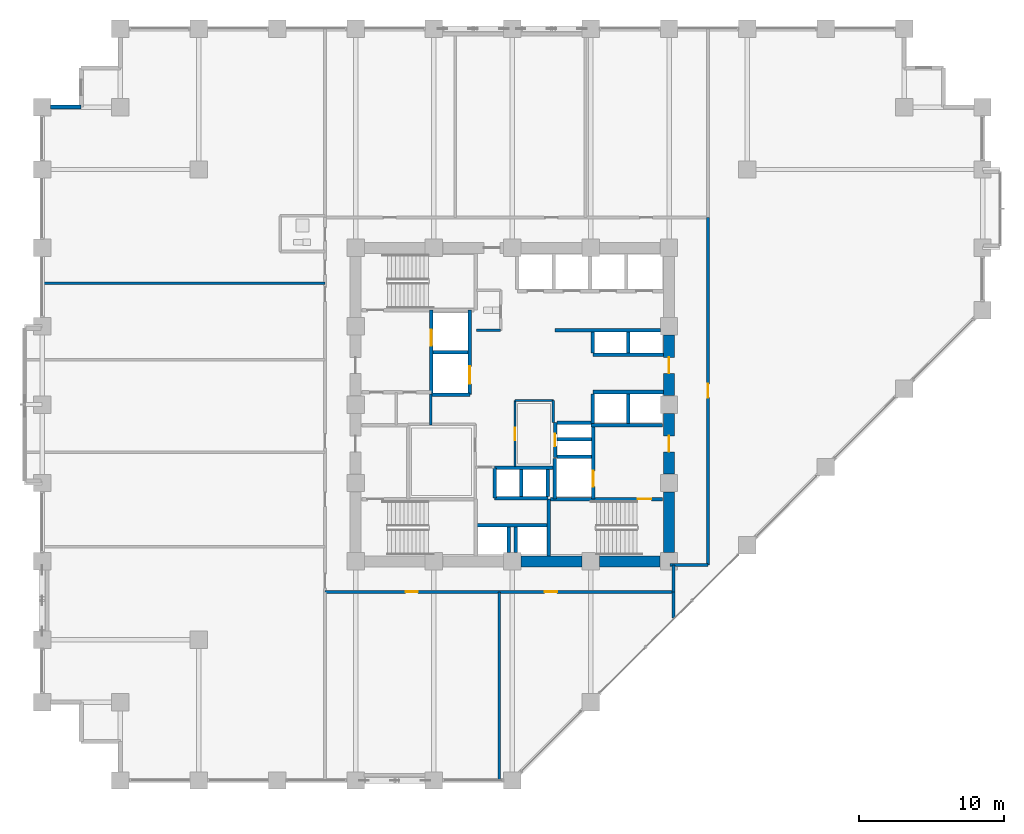
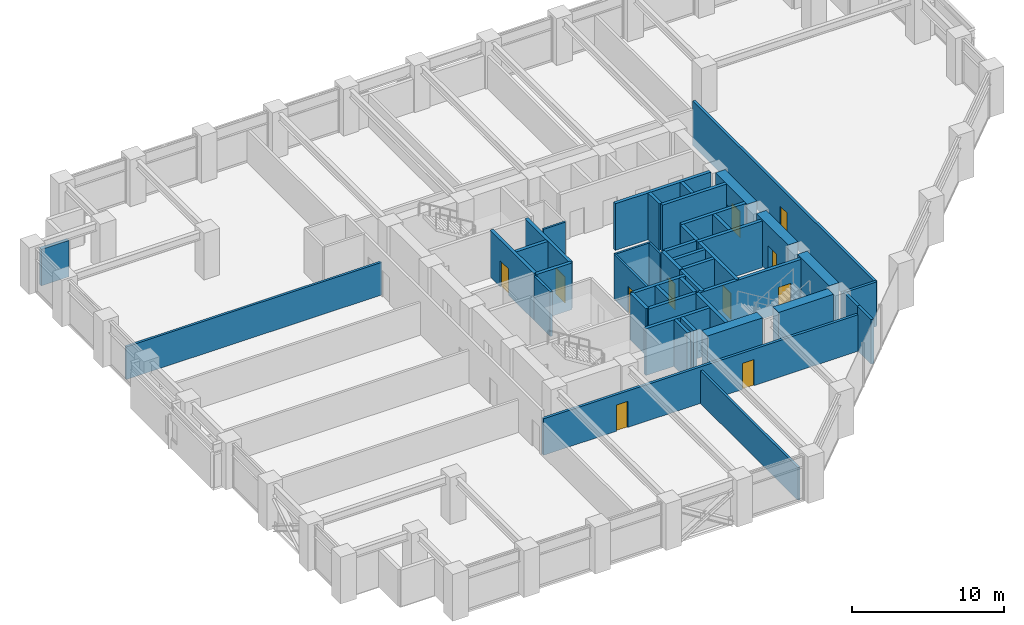
# One storey, part 21 of 27: 46 walls, 11 doors, 11 openings.
"""IFC4 building model written with IfcOpenShell, lengths in metres."""

from ifc_helpers import new_model, si_unit, direction, frame, frame_2d, origin, place, context, subcontext, project, spatial, rectangle, extrude, material, layer, layer_set, type_object, element, fill, save


model = new_model("IFC4")

# Units and contexts
model_context = context("Model", 3, precision=1e-05, world=origin(), true_north=direction((0.0, 1.0)))
body_context = subcontext(model_context, "Body", "Model", "MODEL_VIEW")
ifc_project = project(units=[si_unit("LENGTHUNIT", "METRE"), si_unit("AREAUNIT", "SQUARE_METRE"), si_unit("VOLUMEUNIT", "CUBIC_METRE"), si_unit("PLANEANGLEUNIT", "RADIAN"), si_unit("MASSUNIT", "GRAM", prefix="KILO")], contexts=[model_context])

# Site, building, storey
site_placement = place(None, origin())
site = spatial("IfcSite", under=ifc_project, at=site_placement, CompositionType="ELEMENT")
building_placement = place(site_placement, origin())
building = spatial("IfcBuilding", under=site, at=building_placement, Name="Surkhivell Harbour Commons", CompositionType="ELEMENT")
storey_placement = place(building_placement, frame((0.0, 0.0, 56.25)))
storey = spatial("IfcBuildingStorey", under=building, at=storey_placement, Name="L14", CompositionType="ELEMENT", Elevation=56.25)

# Wall
ifc_material_1 = material(Name="Concrete C60/75", Category="concrete")
ifc_layer_1 = layer(ifc_material_1, 0.75)
ifc_layer_set_1 = layer_set([ifc_layer_1], Name="Concrete C60/75")
wall_type_1 = type_object("IfcWallType", Name="WAL-CORE-750", PredefinedType="SHEAR", material=ifc_layer_set_1)
wall_1_placement = place(storey_placement, frame((10.800048828125, -10.18994140625, 0.0), z_axis=(0.0, 0.0, 1.0), x_axis=(0.0, 1.0, 0.0)))
element("IfcWall", 1, at=wall_1_placement, inside=storey, type_object=wall_type_1, Name="L14 Core Shear Wall East 1", PredefinedType="SHEAR", context=body_context, shape_type="SweptSolid", body=[
    extrude(rectangle(XDim=4.179931640625, YDim=0.75, at=frame_2d((2.08984375, 0.0))), origin(), (0.0, 0.0, 1.0), 3.75),
])

# Wall, opening, door
wall_2_placement = place(storey_placement, frame((10.800048828125, -4.7900390625, 0.0), z_axis=(0.0, 0.0, 1.0), x_axis=(0.0, 1.0, 0.0)))
wall_2 = element("IfcWall", 2, at=wall_2_placement, inside=storey, type_object=wall_type_1, Name="L14 Core Shear Wall East 2", PredefinedType="SHEAR", context=body_context, shape_type="SweptSolid", body=[
    extrude(rectangle(XDim=4.179931640625, YDim=0.75, at=frame_2d((2.08984375, 0.0))), origin(), (0.0, 0.0, 1.0), 3.75),
])
opening_1_placement = place(wall_2_placement, frame((1.5400390625, 0.0, 0.0)))
opening_1 = element("IfcOpeningElement", 3, at=opening_1_placement, cuts=wall_2, Name="Opening ID-1", PredefinedType="OPENING", context=body_context, shape_type="SweptSolid", body=[
    extrude(rectangle(XDim=1.10009765625, YDim=2.10009765625, at=frame_2d((0.550048828125, 1.050048828125))), frame((0.0, 0.385009765625, 0.0), z_axis=(0.0, -1.0, 0.0), x_axis=(1.0, 0.0, 0.0)), (0.0, 0.0, 1.0), 0.77001953125),
])
ifc_material_2 = material(Name="Hardwood-veneered fire-rated door leaf", Category="wood")
door_type_1 = type_object("IfcDoorType", Name="DOR-FD120-1100", OperationType="NOTDEFINED", PredefinedType="DOOR", material=ifc_material_2)
door_1_placement = place(opening_1_placement, origin())
door_1 = element("IfcDoor", 4, at=door_1_placement, inside=storey, type_object=door_type_1, Name="L14 Firefighting Lobby 2 Corridor Door", OperationType="SINGLE_SWING_RIGHT", OverallHeight=2.10009765625, OverallWidth=1.10009765625, PredefinedType="DOOR", context=body_context, shape_type="SweptSolid", body=[
    extrude(rectangle(XDim=1.10009765625, YDim=2.10009765625, at=frame_2d((0.550048828125, 1.050048828125))), frame((0.0, 0.02490234375, 0.0), z_axis=(0.0, -1.0, 0.0), x_axis=(1.0, 0.0, 0.0)), (0.0, 0.0, 1.0), 0.050048828125),
])
fill(opening_1, door_1)

# Wall
wall_3_placement = place(storey_placement, frame((0.610107421875, -10.800048828125, 0.0), z_axis=(0.0, 0.0, 1.0), x_axis=(1.0, 0.0, 0.0)))
element("IfcWall", 5, at=wall_3_placement, inside=storey, type_object=wall_type_1, Name="L14 Core Shear Wall South 3", PredefinedType="SHEAR", context=body_context, shape_type="SweptSolid", body=[
    extrude(rectangle(XDim=4.179931640625, YDim=0.75, at=frame_2d((2.08984375, 0.0))), origin(), (0.0, 0.0, 1.0), 3.75),
])

# Wall, opening, door
wall_4_placement = place(storey_placement, frame((10.800048828125, 0.610107421875, 0.0), z_axis=(0.0, 0.0, 1.0), x_axis=(0.0, 1.0, 0.0)))
wall_4 = element("IfcWall", 6, at=wall_4_placement, inside=storey, type_object=wall_type_1, Name="L14 Core Shear Wall East 3", PredefinedType="SHEAR", context=body_context, shape_type="SweptSolid", body=[
    extrude(rectangle(XDim=4.179931640625, YDim=0.75, at=frame_2d((2.08984375, 0.0))), origin(), (0.0, 0.0, 1.0), 3.75),
])
opening_2_placement = place(wall_4_placement, frame((1.5400390625, 0.0, 0.0)))
opening_2 = element("IfcOpeningElement", 7, at=opening_2_placement, cuts=wall_4, Name="Opening ID-2", PredefinedType="OPENING", context=body_context, shape_type="SweptSolid", body=[
    extrude(rectangle(XDim=1.10009765625, YDim=2.10009765625, at=frame_2d((0.550048828125, 1.050048828125))), frame((0.0, 0.385009765625, 0.0), z_axis=(0.0, -1.0, 0.0), x_axis=(1.0, 0.0, 0.0)), (0.0, 0.0, 1.0), 0.77001953125),
])
door_type_2 = type_object("IfcDoorType", Name="DOR-FD60-1100", OperationType="NOTDEFINED", PredefinedType="DOOR", material=ifc_material_2)
door_2_placement = place(opening_2_placement, origin())
door_2 = element("IfcDoor", 8, at=door_2_placement, inside=storey, type_object=door_type_2, Name="L14 Mid-Rise Lobby East Door", OperationType="SINGLE_SWING_LEFT", OverallHeight=2.10009765625, OverallWidth=1.10009765625, PredefinedType="DOOR", context=body_context, shape_type="SweptSolid", body=[
    extrude(rectangle(XDim=1.10009765625, YDim=2.10009765625, at=frame_2d((0.550048828125, 1.050048828125))), frame((0.0, 0.02490234375, 0.0), z_axis=(0.0, -1.0, 0.0), x_axis=(1.0, 0.0, 0.0)), (0.0, 0.0, 1.0), 0.050048828125),
])
fill(opening_2, door_2)

# Walls
wall_5_placement = place(storey_placement, frame((6.010009765625, -10.800048828125, 0.0), z_axis=(0.0, 0.0, 1.0), x_axis=(1.0, 0.0, 0.0)))
element("IfcWall", 9, at=wall_5_placement, inside=storey, type_object=wall_type_1, Name="L14 Core Shear Wall South 4", PredefinedType="SHEAR", context=body_context, shape_type="SweptSolid", body=[
    extrude(rectangle(XDim=4.179931640625, YDim=0.75, at=frame_2d((2.08984375, 0.0))), origin(), (0.0, 0.0, 1.0), 3.75),
])
ifc_material_3 = material(Name="Terracotta-clad reinforced concrete C45/55", Category="masonry")
ifc_layer_2 = layer(ifc_material_3, 0.280029296875)
ifc_layer_set_2 = layer_set([ifc_layer_2], Name="Terracotta-clad reinforced concrete C45/55")
wall_type_2 = type_object("IfcWallType", Name="WAL-EXT-TER280", PredefinedType="STANDARD", material=ifc_layer_set_2)
wall_6_placement = place(storey_placement, frame((-29.699951171875, 20.5, 0.0), z_axis=(0.0, 0.0, 1.0), x_axis=(-1.0, 0.0, 0.0)))
element("IfcWall", 10, at=wall_6_placement, inside=storey, type_object=wall_type_2, Name="L14 Serrated Corner Facade Wall 11", PredefinedType="STANDARD", context=body_context, shape_type="SweptSolid", body=[
    extrude(rectangle(XDim=2.10205078125, YDim=0.280029296875, at=frame_2d((1.051025390625, 0.0))), origin(), (0.0, 0.0, 1.0), 2.929931640625),
])
ifc_material_4 = material(Name="Twin-stud acoustic fireboard partition", Category="other")
ifc_layer_3 = layer(ifc_material_4, 0.14990234375)
ifc_layer_set_3 = layer_set([ifc_layer_3], Name="Twin-stud acoustic fireboard partition")
wall_type_3 = type_object("IfcWallType", Name="WAL-INT-150", PredefinedType="PARTITIONING", material=ifc_layer_set_3)
wall_7_placement = place(storey_placement, frame((-2.47998046875, 5.1201171875, 0.0), z_axis=(0.0, 0.0, 1.0), x_axis=(1.0, 0.0, 0.0)))
element("IfcWall", 11, at=wall_7_placement, inside=storey, type_object=wall_type_3, Name="L14 Core Accessible WC South Wall", PredefinedType="PARTITIONING", context=body_context, shape_type="SweptSolid", body=[
    extrude(rectangle(XDim=1.679931640625, YDim=0.14990234375, at=frame_2d((0.83984375, 0.0))), origin(), (0.0, 0.0, 1.0), 3.570068359375),
])
wall_8_placement = place(storey_placement, frame((2.820068359375, -1.25, 0.0), z_axis=(0.0, 0.0, 1.0), x_axis=(0.0, 1.0, 0.0)))
element("IfcWall", 12, at=wall_8_placement, inside=storey, type_object=wall_type_3, Name="L14 Central Music East Wall", PredefinedType="PARTITIONING", context=body_context, shape_type="SweptSolid", body=[
    extrude(rectangle(XDim=1.530029296875, YDim=0.14990234375, at=frame_2d((0.76513671875, 0.0))), origin(), (0.0, 0.0, 1.0), 3.570068359375),
])
wall_9_placement = place(storey_placement, frame((0.179931640625, 0.280029296875, 0.0), z_axis=(0.0, 0.0, 1.0), x_axis=(1.0, 0.0, 0.0)))
element("IfcWall", 13, at=wall_9_placement, inside=storey, type_object=wall_type_3, Name="L14 Central Music North Wall", PredefinedType="PARTITIONING", context=body_context, shape_type="SweptSolid", body=[
    extrude(rectangle(XDim=2.670166015625, YDim=0.14990234375, at=frame_2d((1.3349609375, 0.0))), origin(), (0.0, 0.0, 1.0), 3.570068359375),
])

# Wall, opening, door
wall_10_placement = place(storey_placement, frame((0.179931640625, -4.25, 0.0), z_axis=(0.0, 0.0, 1.0), x_axis=(0.0, 1.0, 0.0)))
wall_10 = element("IfcWall", 14, at=wall_10_placement, inside=storey, type_object=wall_type_3, Name="L14 Central Music West Wall", PredefinedType="PARTITIONING", context=body_context, shape_type="SweptSolid", body=[
    extrude(rectangle(XDim=4.530029296875, YDim=0.14990234375, at=frame_2d((2.26513671875, 0.0))), origin(), (0.0, 0.0, 1.0), 3.570068359375),
])
opening_3_placement = place(wall_10_placement, frame((1.800048828125, 0.0, 0.0)))
opening_3 = element("IfcOpeningElement", 15, at=opening_3_placement, cuts=wall_10, Name="Opening ID-6", PredefinedType="OPENING", context=body_context, shape_type="SweptSolid", body=[
    extrude(rectangle(XDim=0.85009765625, YDim=2.10009765625, at=frame_2d((0.425048828125, 1.050048828125))), frame((0.0, 0.0849609375, 0.0), z_axis=(0.0, -1.0, 0.0), x_axis=(1.0, 0.0, 0.0)), (0.0, 0.0, 1.0), 0.169921875),
])
door_type_3 = type_object("IfcDoorType", Name="DOR-FD30-850", OperationType="NOTDEFINED", PredefinedType="DOOR", material=ifc_material_2)
door_3_placement = place(opening_3_placement, origin())
door_3 = element("IfcDoor", 16, at=door_3_placement, inside=storey, type_object=door_type_3, Name="L14 Central Music Door", OperationType="SINGLE_SWING_RIGHT", OverallHeight=2.10009765625, OverallWidth=0.85009765625, PredefinedType="DOOR", context=body_context, shape_type="SweptSolid", body=[
    extrude(rectangle(XDim=0.85009765625, YDim=2.10009765625, at=frame_2d((0.425048828125, 1.050048828125))), frame((0.0, 0.02490234375, 0.0), z_axis=(0.0, -1.0, 0.0), x_axis=(1.0, 0.0, 0.0)), (0.0, 0.0, 1.0), 0.050048828125),
])
fill(opening_3, door_3)

# Walls
ifc_material_5 = material(Name="High-density acoustic blockwork fire partition", Category="masonry")
ifc_layer_4 = layer(ifc_material_5, 0.175048828125)
ifc_layer_set_4 = layer_set([ifc_layer_4], Name="High-density acoustic blockwork fire partition")
wall_type_4 = type_object("IfcWallType", Name="WAL-INT-175", PredefinedType="PARTITIONING", material=ifc_layer_set_4)
wall_11_placement = place(storey_placement, frame((-5.6201171875, -1.419921875, 0.0), z_axis=(0.0, 0.0, 1.0), x_axis=(0.0, 1.0, 0.0)))
element("IfcWall", 17, at=wall_11_placement, inside=storey, type_object=wall_type_4, Name="L14 West Core Bay East Wall", PredefinedType="PARTITIONING", context=body_context, shape_type="SweptSolid", body=[
    extrude(rectangle(XDim=2.139892578125, YDim=0.175048828125, at=frame_2d((1.06982421875, 0.0))), origin(), (0.0, 0.0, 1.0), 3.570068359375),
])
wall_12_placement = place(storey_placement, frame((-0.89990234375, -25.840087890625, 0.0), z_axis=(0.0, 0.0, 1.0), x_axis=(0.0, 1.0, 0.0)))
element("IfcWall", 18, at=wall_12_placement, inside=storey, type_object=wall_type_4, Name="L14 South Partition P1", PredefinedType="PARTITIONING", context=body_context, shape_type="SweptSolid", body=[
    extrude(rectangle(XDim=12.940185546875, YDim=0.175048828125, at=frame_2d((6.47021484375, 0.0))), origin(), (0.0, 0.0, 1.0), 2.623046875),
])
wall_13_placement = place(storey_placement, frame((-32.340087890625, 8.35009765625, 0.0), z_axis=(0.0, 0.0, 1.0), x_axis=(1.0, 0.0, 0.0)))
element("IfcWall", 19, at=wall_13_placement, inside=storey, type_object=wall_type_4, Name="L14 West Partition PTOP", PredefinedType="PARTITIONING", context=body_context, shape_type="SweptSolid", body=[
    extrude(rectangle(XDim=19.440185546875, YDim=0.175048828125, at=frame_2d((9.72021484375, 0.0))), origin(), (0.0, 0.0, 1.0), 2.623046875),
])
ifc_material_6 = material(Name="Autoclaved aerated concrete blockwork and fire plaster", Category="masonry")
ifc_layer_5 = layer(ifc_material_6, 0.199951171875)
ifc_layer_set_5 = layer_set([ifc_layer_5], Name="Autoclaved aerated concrete blockwork and fire plaster")
wall_type_5 = type_object("IfcWallType", Name="WAL-INT-200", PredefinedType="PARTITIONING", material=ifc_layer_set_5)
wall_14_placement = place(storey_placement, frame((11.10009765625, -14.715087890625, 0.0), z_axis=(0.0, 0.0, 1.0), x_axis=(0.0, 1.0, 0.0)))
element("IfcWall", 20, at=wall_14_placement, inside=storey, type_object=wall_type_5, Name="L14 South-East Wing Corner Divider", PredefinedType="PARTITIONING", context=body_context, shape_type="SweptSolid", body=[
    extrude(rectangle(XDim=1.815185546875, YDim=0.199951171875, at=frame_2d((0.90771484375, 0.0))), origin(), (0.0, 0.0, 1.0), 3.570068359375),
])

# Wall, opening, door
wall_15_placement = place(storey_placement, frame((13.47998046875, -11.0400390625, 0.0), z_axis=(0.0, 0.0, 1.0), x_axis=(0.0, 1.0, 0.0)))
wall_15 = element("IfcWall", 21, at=wall_15_placement, inside=storey, type_object=wall_type_5, Name="L14 Corridor East Wall", PredefinedType="PARTITIONING", context=body_context, shape_type="SweptSolid", body=[
    extrude(rectangle(XDim=23.93994140625, YDim=0.199951171875, at=frame_2d((11.969970703125, 0.0))), origin(), (0.0, 0.0, 1.0), 3.570068359375),
])
opening_4_placement = place(wall_15_placement, frame((11.52001953125, 0.0, 0.0)))
opening_4 = element("IfcOpeningElement", 22, at=opening_4_placement, cuts=wall_15, Name="Opening ID-4", PredefinedType="OPENING", context=body_context, shape_type="SweptSolid", body=[
    extrude(rectangle(XDim=0.949951171875, YDim=2.10009765625, at=frame_2d((0.47509765625, 1.050048828125))), frame((0.0, 0.10986328125, 0.0), z_axis=(0.0, -1.0, 0.0), x_axis=(1.0, 0.0, 0.0)), (0.0, 0.0, 1.0), 0.219970703125),
])
door_type_4 = type_object("IfcDoorType", Name="DOR-FD60-950", OperationType="NOTDEFINED", PredefinedType="DOOR", material=ifc_material_2)
door_4_placement = place(opening_4_placement, origin())
door_4 = element("IfcDoor", 23, at=door_4_placement, inside=storey, type_object=door_type_4, Name="L14 Harbour Social Lounge East Door", OperationType="SINGLE_SWING_RIGHT", OverallHeight=2.10009765625, OverallWidth=0.949951171875, PredefinedType="DOOR", context=body_context, shape_type="SweptSolid", body=[
    extrude(rectangle(XDim=0.949951171875, YDim=2.10009765625, at=frame_2d((0.47509765625, 1.050048828125))), frame((0.0, 0.02490234375, 0.0), z_axis=(0.0, -1.0, 0.0), x_axis=(1.0, 0.0, 0.0)), (0.0, 0.0, 1.0), 0.050048828125),
])
fill(opening_4, door_4)

# Wall
wall_16_placement = place(storey_placement, frame((10.85009765625, -11.0400390625, 0.0), z_axis=(0.0, 0.0, 1.0), x_axis=(1.0, 0.0, 0.0)))
element("IfcWall", 24, at=wall_16_placement, inside=storey, type_object=wall_type_5, Name="L14 Corridor East South Closure Wall", PredefinedType="PARTITIONING", context=body_context, shape_type="SweptSolid", body=[
    extrude(rectangle(XDim=2.6298828125, YDim=0.199951171875, at=frame_2d((1.31494140625, 0.0))), origin(), (0.0, 0.0, 1.0), 3.570068359375),
])

# Wall, openings, doors
wall_17_placement = place(storey_placement, frame((-12.89990234375, -12.89990234375, 0.0), z_axis=(0.0, 0.0, 1.0), x_axis=(1.0, 0.0, 0.0)))
wall_17 = element("IfcWall", 25, at=wall_17_placement, inside=storey, type_object=wall_type_5, Name="L14 Corridor South Wall", PredefinedType="PARTITIONING", context=body_context, shape_type="SweptSolid", body=[
    extrude(rectangle(XDim=24.0, YDim=0.199951171875, at=frame_2d((12.0, 0.0))), origin(), (0.0, 0.0, 1.0), 2.929931640625),
])
opening_5_placement = place(wall_17_placement, frame((5.550048828125, 0.0, 0.0)))
opening_5 = element("IfcOpeningElement", 26, at=opening_5_placement, cuts=wall_17, Name="Opening ID-6", PredefinedType="OPENING", context=body_context, shape_type="SweptSolid", body=[
    extrude(rectangle(XDim=0.85009765625, YDim=2.10009765625, at=frame_2d((0.425048828125, 1.050048828125))), frame((0.0, 0.10986328125, 0.0), z_axis=(0.0, -1.0, 0.0), x_axis=(1.0, 0.0, 0.0)), (0.0, 0.0, 1.0), 0.219970703125),
])
opening_6_placement = place(wall_17_placement, frame((15.131103515625, 0.0, 0.0)))
opening_6 = element("IfcOpeningElement", 27, at=opening_6_placement, cuts=wall_17, Name="Opening ID-6", PredefinedType="OPENING", context=body_context, shape_type="SweptSolid", body=[
    extrude(rectangle(XDim=0.85009765625, YDim=2.10009765625, at=frame_2d((0.425048828125, 1.050048828125))), frame((0.0, 0.10986328125, 0.0), z_axis=(0.0, -1.0, 0.0), x_axis=(1.0, 0.0, 0.0)), (0.0, 0.0, 1.0), 0.219970703125),
])
door_5_placement = place(opening_5_placement, origin())
door_5 = element("IfcDoor", 28, at=door_5_placement, inside=storey, type_object=door_type_3, Name="L14 Campus Co-Op Bookshop South Door", OperationType="SINGLE_SWING_LEFT", OverallHeight=2.10009765625, OverallWidth=0.85009765625, PredefinedType="DOOR", context=body_context, shape_type="SweptSolid", body=[
    extrude(rectangle(XDim=0.85009765625, YDim=2.10009765625, at=frame_2d((0.425048828125, 1.050048828125))), frame((0.0, 0.02490234375, 0.0), z_axis=(0.0, -1.0, 0.0), x_axis=(1.0, 0.0, 0.0)), (0.0, 0.0, 1.0), 0.050048828125),
])
fill(opening_5, door_5)
door_6_placement = place(opening_6_placement, origin())
door_6 = element("IfcDoor", 29, at=door_6_placement, inside=storey, type_object=door_type_3, Name="L14 Harbour Espresso Cafe Shop South Door", OperationType="SINGLE_SWING_RIGHT", OverallHeight=2.10009765625, OverallWidth=0.85009765625, PredefinedType="DOOR", context=body_context, shape_type="SweptSolid", body=[
    extrude(rectangle(XDim=0.85009765625, YDim=2.10009765625, at=frame_2d((0.425048828125, 1.050048828125))), frame((0.0, 0.02490234375, 0.0), z_axis=(0.0, -1.0, 0.0), x_axis=(1.0, 0.0, 0.0)), (0.0, 0.0, 1.0), 0.050048828125),
])
fill(opening_6, door_6)

# Wall
wall_18_placement = place(storey_placement, frame((11.10009765625, -12.89990234375, 0.0), z_axis=(0.0, 0.0, 1.0), x_axis=(0.0, 1.0, 0.0)))
element("IfcWall", 30, at=wall_18_placement, inside=storey, type_object=wall_type_5, Name="L14 Corridor SE Closure Wall", PredefinedType="PARTITIONING", context=body_context, shape_type="SweptSolid", body=[
    extrude(rectangle(XDim=1.85986328125, YDim=0.199951171875, at=frame_2d((0.929931640625, 0.0))), origin(), (0.0, 0.0, 1.0), 3.570068359375),
])

# Wall, opening, door
ifc_material_7 = material(Name="Concrete C50/60", Category="concrete")
ifc_layer_6 = layer(ifc_material_7, 0.25)
ifc_layer_set_6 = layer_set([ifc_layer_6], Name="Concrete C50/60")
wall_type_6 = type_object("IfcWallType", Name="WAL-SHAFT-250", PredefinedType="SHEAR", material=ifc_layer_set_6)
wall_19_placement = place(storey_placement, frame((-5.580078125, 0.719970703125, 0.0), z_axis=(0.0, 0.0, 1.0), x_axis=(0.0, 1.0, 0.0)))
wall_19 = element("IfcWall", 31, at=wall_19_placement, inside=storey, type_object=wall_type_6, Name="L14 Firefighting Lobby 1 East Shaft Wall", PredefinedType="SHEAR", context=body_context, shape_type="SweptSolid", body=[
    extrude(rectangle(XDim=5.7900390625, YDim=0.25, at=frame_2d((2.89501953125, 0.0))), origin(), (0.0, 0.0, 1.0), 3.75),
])
opening_7_placement = place(wall_19_placement, frame((3.35009765625, 0.0, 0.0)))
opening_7 = element("IfcOpeningElement", 32, at=opening_7_placement, cuts=wall_19, Name="Opening LD-1", PredefinedType="OPENING", context=body_context, shape_type="SweptSolid", body=[
    extrude(rectangle(XDim=1.10009765625, YDim=2.10009765625, at=frame_2d((0.550048828125, 1.050048828125))), frame((0.0, 0.135009765625, 0.0), z_axis=(0.0, -1.0, 0.0), x_axis=(1.0, 0.0, 0.0)), (0.0, 0.0, 1.0), 0.27001953125),
])
ifc_material_8 = material(Name="Brushed stainless steel S355", Category="steel")
door_type_5 = type_object("IfcDoorType", Name="DOR-LD-1100", OperationType="SLIDING_TO_LEFT", PredefinedType="DOOR", material=ifc_material_8)
door_7_placement = place(opening_7_placement, origin())
door_7 = element("IfcDoor", 33, at=door_7_placement, inside=storey, type_object=door_type_5, Name="L14 Lift Landing Door LD-FFL1", OperationType="SLIDING_TO_LEFT", OverallHeight=2.10009765625, OverallWidth=1.10009765625, PredefinedType="DOOR", context=body_context, shape_type="SweptSolid", body=[
    extrude(rectangle(XDim=1.10009765625, YDim=2.10009765625, at=frame_2d((0.550048828125, 1.050048828125))), frame((0.0, 0.02490234375, 0.0), z_axis=(0.0, -1.0, 0.0), x_axis=(1.0, 0.0, 0.0)), (0.0, 0.0, 1.0), 0.050048828125),
])
fill(opening_7, door_7)

# Walls
wall_20_placement = place(storey_placement, frame((2.929931640625, -6.510009765625, 0.0), z_axis=(0.0, 0.0, 1.0), x_axis=(0.0, 1.0, 0.0)))
element("IfcWall", 34, at=wall_20_placement, inside=storey, type_object=wall_type_6, Name="L14 FFL2 West Shaft Wall", PredefinedType="SHEAR", context=body_context, shape_type="SweptSolid", body=[
    extrude(rectangle(XDim=2.7900390625, YDim=0.25, at=frame_2d((1.39501953125, 0.0))), origin(), (0.0, 0.0, 1.0), 3.75),
])
wall_21_placement = place(storey_placement, frame((5.43994140625, -1.419921875, 0.0), z_axis=(0.0, 0.0, 1.0), x_axis=(1.0, 0.0, 0.0)))
element("IfcWall", 35, at=wall_21_placement, inside=storey, type_object=wall_type_6, Name="L14 Firefighting Lobby 2 North Wall", PredefinedType="SHEAR", context=body_context, shape_type="SweptSolid", body=[
    extrude(rectangle(XDim=4.900146484375, YDim=0.25, at=frame_2d((2.4501953125, 0.0))), origin(), (0.0, 0.0, 1.0), 3.75),
])
wall_22_placement = place(storey_placement, frame((3.080078125, -3.60009765625, 0.0), z_axis=(0.0, 0.0, 1.0), x_axis=(1.0, 0.0, 0.0)))
element("IfcWall", 36, at=wall_22_placement, inside=storey, type_object=wall_type_6, Name="L14 FFL2 North Shaft Wall", PredefinedType="SHEAR", context=body_context, shape_type="SweptSolid", body=[
    extrude(rectangle(XDim=2.369873046875, YDim=0.25, at=frame_2d((1.18505859375, 0.0))), origin(), (0.0, 0.0, 1.0), 3.75),
])

# Wall, opening, door
wall_23_placement = place(storey_placement, frame((5.580078125, -6.510009765625, 0.0), z_axis=(0.0, 0.0, 1.0), x_axis=(0.0, 1.0, 0.0)))
wall_23 = element("IfcWall", 37, at=wall_23_placement, inside=storey, type_object=wall_type_6, Name="L14 Firefighting Lobby 2 West Shaft Wall", PredefinedType="SHEAR", context=body_context, shape_type="SweptSolid", body=[
    extrude(rectangle(XDim=5.090087890625, YDim=0.25, at=frame_2d((2.544921875, 0.0))), origin(), (0.0, 0.0, 1.0), 3.75),
])
opening_8_placement = place(wall_23_placement, frame((0.85009765625, 0.0, 0.0)))
opening_8 = element("IfcOpeningElement", 38, at=opening_8_placement, cuts=wall_23, Name="Opening LD-1", PredefinedType="OPENING", context=body_context, shape_type="SweptSolid", body=[
    extrude(rectangle(XDim=1.10009765625, YDim=2.10009765625, at=frame_2d((0.550048828125, 1.050048828125))), frame((0.0, 0.135009765625, 0.0), z_axis=(0.0, -1.0, 0.0), x_axis=(1.0, 0.0, 0.0)), (0.0, 0.0, 1.0), 0.27001953125),
])
door_8_placement = place(opening_8_placement, origin())
door_8 = element("IfcDoor", 39, at=door_8_placement, inside=storey, type_object=door_type_5, Name="L14 Lift Landing Door LD-FFL2", OperationType="SLIDING_TO_RIGHT", OverallHeight=2.10009765625, OverallWidth=1.10009765625, PredefinedType="DOOR", context=body_context, shape_type="SweptSolid", body=[
    extrude(rectangle(XDim=1.10009765625, YDim=2.10009765625, at=frame_2d((0.550048828125, 1.050048828125))), frame((0.0, 0.02490234375, 0.0), z_axis=(0.0, -1.0, 0.0), x_axis=(1.0, 0.0, 0.0)), (0.0, 0.0, 1.0), 0.050048828125),
])
fill(opening_8, door_8)

# Walls
for number, where, z_axis, x_axis, name in (
    (40, (0.6201171875, -6.340087890625, 0.0), (0.0, 0.0, 1.0), (0.0, 1.0, 0.0), "L14 High-Rise Side Wall N"),
    (41, (2.449951171875, -6.340087890625, 0.0), (0.0, 0.0, 1.0), (0.0, 1.0, 0.0), "L14 High-Rise Side Wall N"),
):
    element("IfcWall", number, at=place(storey_placement, frame(where, z_axis=z_axis, x_axis=x_axis)), inside=storey, type_object=wall_type_6, Name=name, PredefinedType="SHEAR", context=body_context, shape_type="SweptSolid", body=[
        extrude(rectangle(XDim=1.880126953125, YDim=0.25, at=frame_2d((0.93994140625, 0.0))), origin(), (0.0, 0.0, 1.0), 3.75),
    ])
for number, where, z_axis, x_axis, name in (
    (42, (-0.25, -10.199951171875, 0.0), (0.0, 0.0, 1.0), (0.0, 1.0, 0.0), "L14 High-Rise Side Wall S"),
    (43, (0.25, -10.199951171875, 0.0), (0.0, 0.0, 1.0), (0.0, 1.0, 0.0), "L14 High-Rise Side Wall S"),
):
    element("IfcWall", number, at=place(storey_placement, frame(where, z_axis=z_axis, x_axis=x_axis)), inside=storey, type_object=wall_type_6, Name=name, PredefinedType="SHEAR", context=body_context, shape_type="SweptSolid", body=[
        extrude(rectangle(XDim=1.760009765625, YDim=0.25, at=frame_2d((0.8798828125, 0.0))), origin(), (0.0, 0.0, 1.0), 3.75),
    ])
wall_24_placement = place(storey_placement, frame((-1.219970703125, -6.43994140625, 0.0), z_axis=(0.0, 0.0, 1.0), x_axis=(0.0, 1.0, 0.0)))
element("IfcWall", 44, at=wall_24_placement, inside=storey, type_object=wall_type_6, Name="L14 High-Rise Passage East Shaft Wall", PredefinedType="SHEAR", context=body_context, shape_type="SweptSolid", body=[
    extrude(rectangle(XDim=2.079833984375, YDim=0.25, at=frame_2d((1.0400390625, 0.0))), origin(), (0.0, 0.0, 1.0), 3.75),
])
wall_25_placement = place(storey_placement, frame((-1.219970703125, -6.43994140625, 0.0), z_axis=(0.0, 0.0, 1.0), x_axis=(1.0, 0.0, 0.0)))
element("IfcWall", 45, at=wall_25_placement, inside=storey, type_object=wall_type_6, Name="L14 High-Rise North Front Shaft Wall", PredefinedType="SHEAR", context=body_context, shape_type="SweptSolid", body=[
    extrude(rectangle(XDim=3.669921875, YDim=0.25, at=frame_2d((1.8349609375, 0.0))), origin(), (0.0, 0.0, 1.0), 3.75),
])
wall_26_placement = place(storey_placement, frame((-2.47998046875, -8.320068359375, 0.0), z_axis=(0.0, 0.0, 1.0), x_axis=(1.0, 0.0, 0.0)))
element("IfcWall", 46, at=wall_26_placement, inside=storey, type_object=wall_type_6, Name="L14 High-Rise South Front Shaft Wall", PredefinedType="SHEAR", context=body_context, shape_type="SweptSolid", body=[
    extrude(rectangle(XDim=4.929931640625, YDim=0.25, at=frame_2d((2.46484375, 0.0))), origin(), (0.0, 0.0, 1.0), 3.75),
])
wall_27_placement = place(storey_placement, frame((-1.219970703125, -4.360107421875, 0.0), z_axis=(0.0, 0.0, 1.0), x_axis=(1.0, 0.0, 0.0)))
element("IfcWall", 47, at=wall_27_placement, inside=storey, type_object=wall_type_6, Name="L14 High-Rise North Back Shaft Wall", PredefinedType="SHEAR", context=body_context, shape_type="SweptSolid", body=[
    extrude(rectangle(XDim=4.030029296875, YDim=0.25, at=frame_2d((2.01513671875, 0.0))), origin(), (0.0, 0.0, 1.0), 3.75),
])
wall_28_placement = place(storey_placement, frame((2.949951171875, 5.1201171875, 0.0), z_axis=(0.0, 0.0, 1.0), x_axis=(1.0, 0.0, 0.0)))
element("IfcWall", 48, at=wall_28_placement, inside=storey, type_object=wall_type_6, Name="L14 Low-Rise Lobby South Wall", PredefinedType="SHEAR", context=body_context, shape_type="SweptSolid", body=[
    extrude(rectangle(XDim=7.25, YDim=0.25, at=frame_2d((3.625, 0.0))), origin(), (0.0, 0.0, 1.0), 3.75),
])
for number, where, z_axis, x_axis, name in (
    (49, (5.550048828125, 3.550048828125, 0.0), (0.0, 0.0, 1.0), (0.0, 1.0, 0.0), "L14 Mid-Rise Shaft Side Wall N"),
    (50, (8.0, 3.550048828125, 0.0), (0.0, 0.0, 1.0), (0.0, 1.0, 0.0), "L14 Mid-Rise Shaft Side Wall N"),
):
    element("IfcWall", number, at=place(storey_placement, frame(where, z_axis=z_axis, x_axis=x_axis)), inside=storey, type_object=wall_type_6, Name=name, PredefinedType="SHEAR", context=body_context, shape_type="SweptSolid", body=[
        extrude(rectangle(XDim=1.449951171875, YDim=0.25, at=frame_2d((0.72509765625, 0.0))), origin(), (0.0, 0.0, 1.0), 3.75),
    ])
for number, where, z_axis, x_axis, name in (
    (51, (5.550048828125, -1.300048828125, 0.0), (0.0, 0.0, 1.0), (0.0, 1.0, 0.0), "L14 Mid-Rise Shaft Side Wall S"),
    (52, (8.0, -1.300048828125, 0.0), (0.0, 0.0, 1.0), (0.0, 1.0, 0.0), "L14 Mid-Rise Shaft Side Wall S"),
):
    element("IfcWall", number, at=place(storey_placement, frame(where, z_axis=z_axis, x_axis=x_axis)), inside=storey, type_object=wall_type_6, Name=name, PredefinedType="SHEAR", context=body_context, shape_type="SweptSolid", body=[
        extrude(rectangle(XDim=2.0400390625, YDim=0.25, at=frame_2d((1.02001953125, 0.0))), origin(), (0.0, 0.0, 1.0), 3.75),
    ])
for number, where, z_axis, x_axis, name in (
    (53, (5.550048828125, 3.429931640625, 0.0), (0.0, 0.0, 1.0), (1.0, 0.0, 0.0), "L14 Mid-Rise North Front Shaft Wall"),
    (54, (5.550048828125, 0.8701171875, 0.0), (0.0, 0.0, 1.0), (1.0, 0.0, 0.0), "L14 Mid-Rise South Front Shaft Wall"),
):
    element("IfcWall", number, at=place(storey_placement, frame(where, z_axis=z_axis, x_axis=x_axis)), inside=storey, type_object=wall_type_6, Name=name, PredefinedType="SHEAR", context=body_context, shape_type="SweptSolid", body=[
        extrude(rectangle(XDim=4.875, YDim=0.25, at=frame_2d((2.4375, 0.0))), origin(), (0.0, 0.0, 1.0), 3.75),
    ])
for number, where, z_axis, x_axis, name in (
    (55, (3.080078125, -2.3798828125, 0.0), (0.0, 0.0, 1.0), (1.0, 0.0, 0.0), "L14 Riser Divider Wall"),
    (56, (3.080078125, -1.25, 0.0), (0.0, 0.0, 1.0), (1.0, 0.0, 0.0), "L14 Riser North Wall"),
):
    element("IfcWall", number, at=place(storey_placement, frame(where, z_axis=z_axis, x_axis=x_axis)), inside=storey, type_object=wall_type_6, Name=name, PredefinedType="SHEAR", context=body_context, shape_type="SweptSolid", body=[
        extrude(rectangle(XDim=2.369873046875, YDim=0.25, at=frame_2d((1.18505859375, 0.0))), origin(), (0.0, 0.0, 1.0), 3.75),
    ])

# Wall, opening, door
wall_29_placement = place(storey_placement, frame((2.949951171875, -3.64990234375, 0.0), z_axis=(0.0, 0.0, 1.0), x_axis=(0.0, 1.0, 0.0)))
wall_29 = element("IfcWall", 57, at=wall_29_placement, inside=storey, type_object=wall_type_6, Name="L14 Riser Shaft West Wall", PredefinedType="SHEAR", context=body_context, shape_type="SweptSolid", body=[
    extrude(rectangle(XDim=2.39990234375, YDim=0.25, at=frame_2d((1.199951171875, 0.0))), origin(), (0.0, 0.0, 1.0), 3.75),
])
opening_9_placement = place(wall_29_placement, frame((0.77490234375, 0.0, 0.0)))
opening_9 = element("IfcOpeningElement", 58, at=opening_9_placement, cuts=wall_29, Name="Opening ID-6", PredefinedType="OPENING", context=body_context, shape_type="SweptSolid", body=[
    extrude(rectangle(XDim=0.85009765625, YDim=2.10009765625, at=frame_2d((0.425048828125, 1.050048828125))), frame((0.0, 0.135009765625, 0.0), z_axis=(0.0, -1.0, 0.0), x_axis=(1.0, 0.0, 0.0)), (0.0, 0.0, 1.0), 0.27001953125),
])
door_9_placement = place(opening_9_placement, origin())
door_9 = element("IfcDoor", 59, at=door_9_placement, inside=storey, type_object=door_type_3, Name="L14 Electrical Riser Access Door", OperationType="SINGLE_SWING_LEFT", OverallHeight=2.10009765625, OverallWidth=0.85009765625, PredefinedType="DOOR", context=body_context, shape_type="SweptSolid", body=[
    extrude(rectangle(XDim=0.85009765625, YDim=2.10009765625, at=frame_2d((0.425048828125, 1.050048828125))), frame((0.0, 0.02490234375, 0.0), z_axis=(0.0, -1.0, 0.0), x_axis=(1.0, 0.0, 0.0)), (0.0, 0.0, 1.0), 0.050048828125),
])
fill(opening_9, door_9)

wall_30_placement = place(storey_placement, frame((2.639892578125, -6.510009765625, 0.0), z_axis=(0.0, 0.0, 1.0), x_axis=(1.0, 0.0, 0.0)))
wall_30 = element("IfcWall", 60, at=wall_30_placement, inside=storey, type_object=wall_type_6, Name="L14 Stair ST2 North Shear Wall", PredefinedType="SHEAR", context=body_context, shape_type="SweptSolid", body=[
    extrude(rectangle(XDim=7.7001953125, YDim=0.25, at=frame_2d((3.85009765625, 0.0))), origin(), (0.0, 0.0, 1.0), 3.75),
])
opening_10_placement = place(wall_30_placement, frame((6.0, 0.0, 0.0)))
opening_10 = element("IfcOpeningElement", 61, at=opening_10_placement, cuts=wall_30, Name="Opening ID-4", PredefinedType="OPENING", context=body_context, shape_type="SweptSolid", body=[
    extrude(rectangle(XDim=0.949951171875, YDim=2.10009765625, at=frame_2d((0.47509765625, 1.050048828125))), frame((0.0, 0.135009765625, 0.0), z_axis=(0.0, -1.0, 0.0), x_axis=(1.0, 0.0, 0.0)), (0.0, 0.0, 1.0), 0.27001953125),
])
door_10_placement = place(opening_10_placement, origin())
door_10 = element("IfcDoor", 62, at=door_10_placement, inside=storey, type_object=door_type_4, Name="L14 Stair ST2 Exit Door", OperationType="SINGLE_SWING_RIGHT", OverallHeight=2.10009765625, OverallWidth=0.949951171875, PredefinedType="DOOR", context=body_context, shape_type="SweptSolid", body=[
    extrude(rectangle(XDim=0.949951171875, YDim=2.10009765625, at=frame_2d((0.47509765625, 1.050048828125))), frame((0.0, 0.02490234375, 0.0), z_axis=(0.0, -1.0, 0.0), x_axis=(1.0, 0.0, 0.0)), (0.0, 0.0, 1.0), 0.050048828125),
])
fill(opening_10, door_10)

# Wall
wall_31_placement = place(storey_placement, frame((2.510009765625, -10.425048828125, 0.0), z_axis=(0.0, 0.0, 1.0), x_axis=(0.0, 1.0, 0.0)))
element("IfcWall", 63, at=wall_31_placement, inside=storey, type_object=wall_type_6, Name="L14 Stair ST2 West Shear Wall", PredefinedType="SHEAR", context=body_context, shape_type="SweptSolid", body=[
    extrude(rectangle(XDim=3.9150390625, YDim=0.25, at=frame_2d((1.95751953125, 0.0))), origin(), (0.0, 0.0, 1.0), 3.75),
])

# Wall, opening, door
wall_32_placement = place(storey_placement, frame((-2.929931640625, 0.679931640625, 0.0), z_axis=(0.0, 0.0, 1.0), x_axis=(0.0, 1.0, 0.0)))
wall_32 = element("IfcWall", 64, at=wall_32_placement, inside=storey, type_object=wall_type_6, Name="L14 Service and Fire Lift East Shaft Wall", PredefinedType="SHEAR", context=body_context, shape_type="SweptSolid", body=[
    extrude(rectangle(XDim=5.830078125, YDim=0.25, at=frame_2d((2.9150390625, 0.0))), origin(), (0.0, 0.0, 1.0), 3.75),
])
opening_11_placement = place(wall_32_placement, frame((0.75, 0.0, 0.0)))
opening_11 = element("IfcOpeningElement", 65, at=opening_11_placement, cuts=wall_32, Name="Opening LD-2", PredefinedType="OPENING", context=body_context, shape_type="SweptSolid", body=[
    extrude(rectangle(XDim=1.199951171875, YDim=2.10009765625, at=frame_2d((0.60009765625, 1.050048828125))), frame((0.0, 0.135009765625, 0.0), z_axis=(0.0, -1.0, 0.0), x_axis=(1.0, 0.0, 0.0)), (0.0, 0.0, 1.0), 0.27001953125),
])
door_type_6 = type_object("IfcDoorType", Name="DOR-LD-1200", OperationType="SLIDING_TO_LEFT", PredefinedType="DOOR", material=ifc_material_8)
door_11_placement = place(opening_11_placement, origin())
door_11 = element("IfcDoor", 66, at=door_11_placement, inside=storey, type_object=door_type_6, Name="L14 Lift Landing Door LD-SVL1", OperationType="SLIDING_TO_LEFT", OverallHeight=2.10009765625, OverallWidth=1.199951171875, PredefinedType="DOOR", context=body_context, shape_type="SweptSolid", body=[
    extrude(rectangle(XDim=1.199951171875, YDim=2.10009765625, at=frame_2d((0.60009765625, 1.050048828125))), frame((0.0, 0.02490234375, 0.0), z_axis=(0.0, -1.0, 0.0), x_axis=(1.0, 0.0, 0.0)), (0.0, 0.0, 1.0), 0.050048828125),
])
fill(opening_11, door_11)

# Walls
wall_33_placement = place(storey_placement, frame((-5.449951171875, 3.60009765625, 0.0), z_axis=(0.0, 0.0, 1.0), x_axis=(1.0, 0.0, 0.0)))
element("IfcWall", 67, at=wall_33_placement, inside=storey, type_object=wall_type_6, Name="L14 FFL1/SVL1 Shaft Divider", PredefinedType="SHEAR", context=body_context, shape_type="SweptSolid", body=[
    extrude(rectangle(XDim=2.389892578125, YDim=0.25, at=frame_2d((1.19482421875, 0.0))), origin(), (0.0, 0.0, 1.0), 3.75),
])
wall_34_placement = place(storey_placement, frame((-5.580078125, 0.679931640625, 0.0), z_axis=(0.0, 0.0, 1.0), x_axis=(1.0, 0.0, 0.0)))
element("IfcWall", 68, at=wall_34_placement, inside=storey, type_object=wall_type_6, Name="L14 SVL1 South Shaft Wall", PredefinedType="SHEAR", context=body_context, shape_type="SweptSolid", body=[
    extrude(rectangle(XDim=2.650146484375, YDim=0.25, at=frame_2d((1.3251953125, 0.0))), origin(), (0.0, 0.0, 1.0), 3.75),
])

save(model, "model.ifc")
